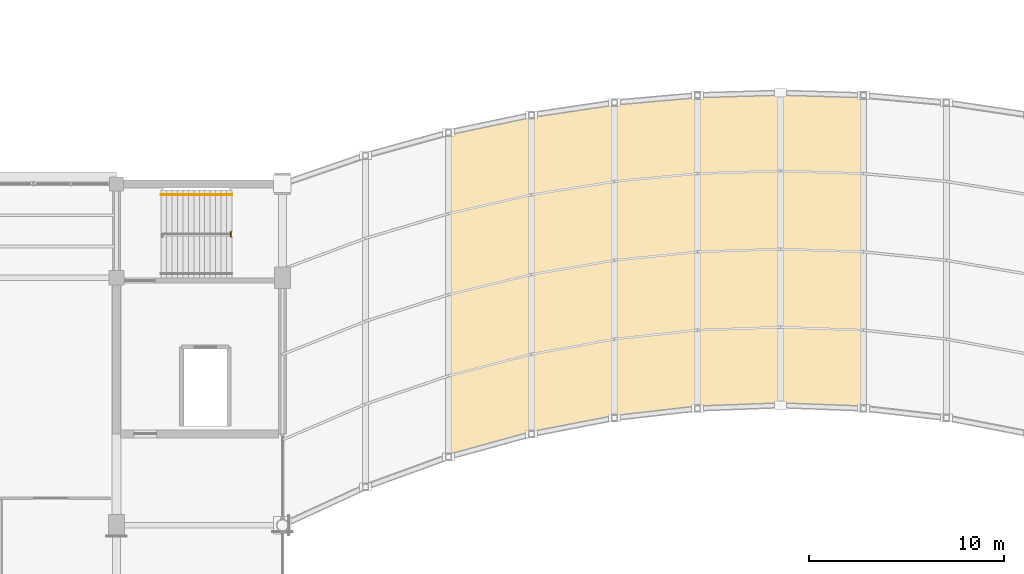
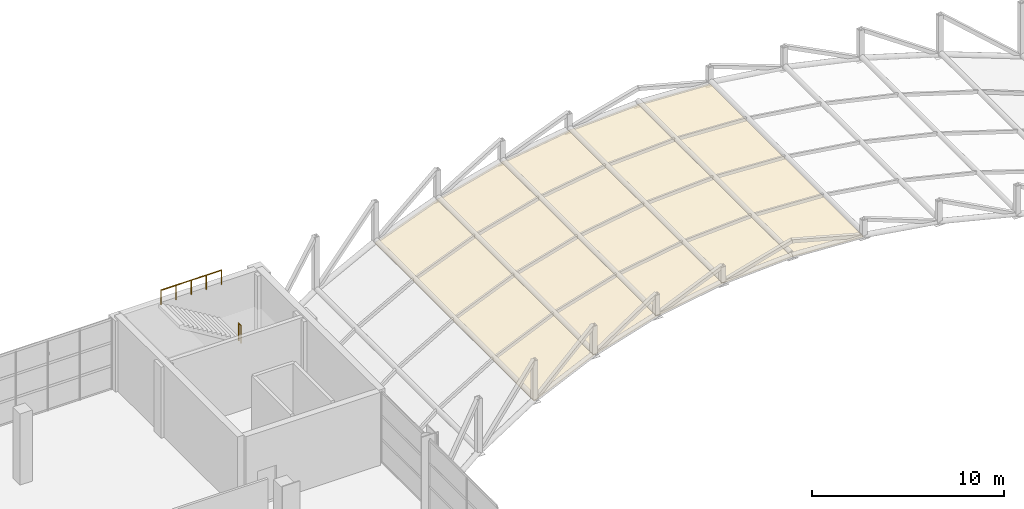
# One storey, part 95 of 101: 5 coverings, 2 railings.
"""IFC4 building model written with IfcOpenShell, lengths in metres."""

import ifcopenshell
import ifcopenshell.guid

model = None  # the IFC model being written
_history = None  # IfcOwnerHistory: only IFC2X3 demands one
_inside = {}  # id of a spatial element -> (the spatial element, [elements in it])
_under = {}  # id of a project, library or spatial element -> (it, [spatial elements below it])
_declared = {}  # id of a project -> (the project, [libraries it declares])
_typed = {}  # id of a type object -> (the type object, [elements of that type])
_made_of = {}  # id of a material, layer set ... -> (it, [elements and type objects made of it])


def new_model(schema):
    """Start an empty IFC model of exactly this schema.

    Asked for "IFC4X3", IfcOpenShell would pick the latest addendum, in which some entities
    have other attributes; the version numbers below select the first issue.
    IFC2X3 requires an IfcOwnerHistory on every rooted entity: one is made here for all.
    """
    global model, _history
    if schema == "IFC4X3":
        model = ifcopenshell.file(schema_version=(4, 3, 0, 0))
    else:
        model = ifcopenshell.file(schema=schema)
    _inside.clear()
    _under.clear()
    _declared.clear()
    _typed.clear()
    _made_of.clear()
    _history = None
    if model.schema == "IFC2X3":
        org = make("IfcOrganization", Name="unknown")
        user = make(
            "IfcPersonAndOrganization",
            ThePerson=make("IfcPerson", FamilyName="unknown"),
            TheOrganization=org,
        )
        app = make(
            "IfcApplication",
            ApplicationDeveloper=org,
            Version="unknown",
            ApplicationFullName="unknown",
            ApplicationIdentifier="unknown",
        )
        _history = make(
            "IfcOwnerHistory",
            OwningUser=user,
            OwningApplication=app,
            ChangeAction="ADDED",
            CreationDate=0,
        )
    return model


def make(cls, **values):
    """One entity of the class cls with the attributes given. An attribute that is None is left unset."""
    return model.create_entity(
        cls, **{name: value for name, value in values.items() if value is not None}
    )


def rooted(cls, **values):
    """An entity with a GlobalId (a new one), such as an element, a storey or a relation."""
    return make(cls, GlobalId=ifcopenshell.guid.new(), OwnerHistory=_history, **values)


def si_unit(unit_type, name, prefix=None):
    """IfcSIUnit, for example si_unit("LENGTHUNIT", "METRE", prefix="MILLI")."""
    return make("IfcSIUnit", UnitType=unit_type, Prefix=prefix, Name=name)


def assignment(units):
    """IfcUnitAssignment: the units of a project."""
    return None if units is None else make("IfcUnitAssignment", Units=units)


def point(xyz):
    """IfcCartesianPoint."""
    return None if xyz is None else make("IfcCartesianPoint", Coordinates=xyz)


def direction(xyz):
    """IfcDirection."""
    return None if xyz is None else make("IfcDirection", DirectionRatios=xyz)


def frame(location, z_axis=None, x_axis=None):
    """IfcAxis2Placement3D, a coordinate frame: its origin and axes. An axis left out is left unset."""
    return make(
        "IfcAxis2Placement3D",
        Location=point(location),
        Axis=direction(z_axis),
        RefDirection=direction(x_axis),
    )


def frame_2d(location, x_axis=None):
    """IfcAxis2Placement2D, a coordinate frame in the plane: its origin and x axis."""
    return make(
        "IfcAxis2Placement2D", Location=point(location), RefDirection=direction(x_axis)
    )


def origin():
    """The frame at (0, 0, 0) with its axes left unset."""
    return frame((0.0, 0.0, 0.0))


def origin_2d():
    """The frame at (0, 0) in the plane with its x axis left unset."""
    return frame_2d((0.0, 0.0))


def place(relative_to, where):
    """IfcLocalPlacement: puts the frame where relative to a parent placement (None: the world)."""
    return make(
        "IfcLocalPlacement", PlacementRelTo=relative_to, RelativePlacement=where
    )


def context(
    kind, dimensions, precision=None, world=None, true_north=None, identifier=None
):
    """IfcGeometricRepresentationContext, for example the 3D "Model" context."""
    return make(
        "IfcGeometricRepresentationContext",
        ContextIdentifier=identifier,
        ContextType=kind,
        CoordinateSpaceDimension=dimensions,
        Precision=precision,
        WorldCoordinateSystem=world,
        TrueNorth=true_north,
    )


def subcontext(parent, identifier, kind, view, scale=None):
    """IfcGeometricRepresentationSubContext, for example "Body" below "Model"."""
    return make(
        "IfcGeometricRepresentationSubContext",
        ContextIdentifier=identifier,
        ContextType=kind,
        ParentContext=parent,
        TargetScale=scale,
        TargetView=view,
    )


def project(units=None, contexts=None):
    """IfcProject with its units and contexts."""
    return rooted(
        "IfcProject",
        Name="project",
        RepresentationContexts=contexts,
        UnitsInContext=assignment(units),
    )


def spatial(cls, under=None, at=None, **own):
    """A site, building, storey or space (cls), placed at a placement, below another one or the project."""
    s = rooted(cls, ObjectPlacement=at, **own)
    if under is not None:
        _under.setdefault(under.id(), (under, []))[1].append(s)
    return s


def polyline(points):
    """IfcPolyline through the points."""
    return make("IfcPolyline", Points=[point(p) for p in points])


def profile(cls, at=None, kind="AREA", **sizes):
    """A parametric profile (cls). Its sizes go by their IFC names, for example OverallWidth=200.0."""
    return make(cls, ProfileType=kind, Position=at, **sizes)


def circle(**sizes):
    """IfcCircleProfileDef."""
    return profile("IfcCircleProfileDef", **sizes)


def outline(outer, holes=None, kind="AREA"):
    """IfcArbitraryClosedProfileDef: a profile drawn as a closed curve; with holes, ...WithVoids."""
    if holes is None:
        return make("IfcArbitraryClosedProfileDef", ProfileType=kind, OuterCurve=outer)
    return make(
        "IfcArbitraryProfileDefWithVoids",
        ProfileType=kind,
        OuterCurve=outer,
        InnerCurves=holes,
    )


def extrude(swept, where, along, depth):
    """IfcExtrudedAreaSolid: the profile swept, set in the frame where, extruded along a direction by depth."""
    return make(
        "IfcExtrudedAreaSolid",
        SweptArea=swept,
        Position=where,
        ExtrudedDirection=direction(along),
        Depth=depth,
    )


def shape(context_of_items, identifier, shape_type, items):
    """IfcShapeRepresentation: the items that make up one representation, for example the "Body"."""
    return make(
        "IfcShapeRepresentation",
        ContextOfItems=context_of_items,
        RepresentationIdentifier=identifier,
        RepresentationType=shape_type,
        Items=items,
    )


def material(Name=None, Category=None):
    """IfcMaterial."""
    return make("IfcMaterial", Name=Name, Category=Category)


def layer(
    of_material, thickness, ventilated=None, Name=None, Category=None, Priority=None
):
    """IfcMaterialLayer: one layer of a wall or slab, of a material (None: an air gap)."""
    return make(
        "IfcMaterialLayer",
        Material=of_material,
        LayerThickness=thickness,
        IsVentilated=ventilated,
        Name=Name,
        Category=Category,
        Priority=Priority,
    )


def layer_set(layers, Name=None):
    """IfcMaterialLayerSet."""
    return make("IfcMaterialLayerSet", MaterialLayers=layers, LayerSetName=Name)


def made_of(thing, what):
    """Note that an element or type object is made of a material, layer set ...; save() writes the relation."""
    if what is not None:
        _made_of.setdefault(what.id(), (what, []))[1].append(thing)
    return thing


def type_object(cls, material=None, **own):
    """A type object (cls), such as IfcWallType, which elements share."""
    return made_of(rooted(cls, **own), material)


def element(
    cls,
    number,
    at=None,
    inside=None,
    cuts=None,
    type_object=None,
    material=None,
    context=None,
    identifier="Body",
    shape_type=None,
    held_by="IfcProductDefinitionShape",
    body=None,
    shapes=None,
    **own,
):
    """One element of the class cls, such as IfcWall. Its Tag is "e" and its number.

    at: its placement. inside: the storey or other place that contains it. cuts: it is an
    opening in that element (IfcRelVoidsElement). A single representation is given by context,
    identifier, shape_type and body (its items); several are given by shapes. held_by: the class
    of the entity that holds the representations. save() writes the other relations.
    """
    e = rooted(cls, Tag="e%d" % number, ObjectPlacement=at, **own)
    if body is not None:
        shapes = [shape(context, identifier, shape_type, body)]
    if shapes is not None:
        e.Representation = make(held_by, Representations=shapes)
    if inside is not None:
        _inside.setdefault(inside.id(), (inside, []))[1].append(e)
    if cuts is not None:
        rooted(
            "IfcRelVoidsElement", RelatingBuildingElement=cuts, RelatedOpeningElement=e
        )
    if type_object is not None:
        _typed.setdefault(type_object.id(), (type_object, []))[1].append(e)
    return made_of(e, material)


def aggregate(whole, parts):
    """IfcRelAggregates: a whole, such as a stair, and the parts it consists of."""
    return rooted("IfcRelAggregates", RelatingObject=whole, RelatedObjects=parts)


def save(model, path):
    """Write the relations noted so far, then the file.

    IfcRelAggregates (storeys below a building ...), IfcRelContainedInSpatialStructure (elements
    in a storey), IfcRelDefinesByType, IfcRelAssociatesMaterial and IfcRelDeclares: one each for
    every whole, place, type object, material and project.
    """
    for whole, parts in _under.values():
        aggregate(whole, parts)
    for where, things in _inside.values():
        rooted(
            "IfcRelContainedInSpatialStructure",
            RelatedElements=things,
            RelatingStructure=where,
        )
    for kind, things in _typed.values():
        rooted("IfcRelDefinesByType", RelatedObjects=things, RelatingType=kind)
    for what, things in _made_of.values():
        rooted("IfcRelAssociatesMaterial", RelatedObjects=things, RelatingMaterial=what)
    for by, libraries in _declared.values():
        rooted("IfcRelDeclares", RelatingContext=by, RelatedDefinitions=libraries)
    model.write(path)


model = new_model("IFC4")

# Units and contexts
model_context = context("Model", 3, precision=1e-05, world=origin(), true_north=direction((0.0, 1.0)))
body_context = subcontext(model_context, "Body", "Model", "MODEL_VIEW")
ifc_project = project(units=[si_unit("LENGTHUNIT", "METRE"), si_unit("AREAUNIT", "SQUARE_METRE"), si_unit("VOLUMEUNIT", "CUBIC_METRE"), si_unit("PLANEANGLEUNIT", "RADIAN"), si_unit("MASSUNIT", "GRAM", prefix="KILO")], contexts=[model_context])

# Site, building, storey
site_placement = place(None, origin())
site = spatial("IfcSite", under=ifc_project, at=site_placement, CompositionType="ELEMENT")
building_placement = place(site_placement, origin())
building = spatial("IfcBuilding", under=site, at=building_placement, Name="Solvikara Media Centre", CompositionType="ELEMENT")
storey_placement = place(building_placement, frame((0.0, 0.0, 10.199951171875)))
storey = spatial("IfcBuildingStorey", under=building, at=storey_placement, Name="L02", CompositionType="ELEMENT", Elevation=10.199951171875)

# Coverings
ifc_material_1 = material(Name="Perforated acoustic gypsum ceiling board")
ifc_layer = layer(ifc_material_1, 0.0400390625)
ifc_layer_set = layer_set([ifc_layer], Name="Perforated acoustic gypsum ceiling board")
covering_type = type_object("IfcCoveringType", Name="CV-01", PredefinedType="CEILING", material=ifc_layer_set)
covering_1_placement = place(storey_placement, frame((85.0, 22.823974609375, 1.64794921875), z_axis=(-0.164821619236, 0.0, 0.986323392115), x_axis=(0.951739592353, 0.262482868962, 0.159042421539)))
element("IfcCovering", 1, at=covering_1_placement, inside=storey, type_object=covering_type, Name="SOF-ARC-02", PredefinedType="CEILING", context=body_context, shape_type="SweptSolid", body=[
    extrude(outline(polyline([(0.0, 0.0), (4.465507197711592, 6.938893903907228e-17), (8.752641947112428, 15.760317885235247), (4.359035574345945, 16.024638911651298), (0.0, 0.0)])), origin(), (0.0, 0.0, -1.0), 0.0400390625),
])
covering_2_placement = place(storey_placement, frame((89.25, 23.99609375, 2.358154296875), z_axis=(-0.118191463058, 0.0, 0.992990824761), x_axis=(0.97516795398, 0.188613884481, 0.116070082758)))
element("IfcCovering", 2, at=covering_2_placement, inside=storey, type_object=covering_type, Name="SOF-ARC-03", PredefinedType="CEILING", context=body_context, shape_type="SweptSolid", body=[
    extrude(outline(polyline([(0.0, 0.0), (4.358223609229966, 1.0928757898653885e-16), (7.403582651292142, 15.856196837965918), (3.0806320487791385, 16.039851943930806), (0.0, 0.0)])), origin(), (0.0, 0.0, -1.0), 0.0400390625),
])
covering_3_placement = place(storey_placement, frame((93.5, 24.818115234375, 2.864013671875), z_axis=(-0.071564655198, 0.0, 0.99743596292), x_axis=(0.990989060478, 0.113512878366, 0.071102098836)))
element("IfcCovering", 3, at=covering_3_placement, inside=storey, type_object=covering_type, Name="SOF-ARC-04", PredefinedType="CEILING", context=body_context, shape_type="SweptSolid", body=[
    extrude(outline(polyline([(0.0, 0.0), (4.288644718188768, -3.426078865054194e-17), (6.108952311592298, 15.932483668453473), (1.8327784906849314, 16.041636851128157), (0.0, 0.0)])), origin(), (0.0, 0.0, -1.0), 0.0400390625),
])
covering_4_placement = place(storey_placement, frame((97.75, 25.304931640625, 3.1689453125), z_axis=(-0.023775446472, 0.0, 0.99971732412), x_axis=(0.998991273756, 0.038104906122, 0.02375817942)))
element("IfcCovering", 4, at=covering_4_placement, inside=storey, type_object=covering_type, Name="SOF-ARC-05", PredefinedType="CEILING", context=body_context, shape_type="SweptSolid", body=[
    extrude(outline(polyline([(0.0, 0.0), (4.2542914154014895, 1.395910297075087e-17), (4.863969913355354, 15.98837990945714), (0.6110553353821049, 16.02448648029759), (0.0, 0.0)])), origin(), (0.0, 0.0, -1.0), 0.0400390625),
])
covering_5_placement = place(storey_placement, frame((102.0, 25.467041015625, 3.27001953125), z_axis=(0.023775446472, 0.0, 0.99971732412), x_axis=(0.998991273756, -0.038104906122, -0.02375817942)))
element("IfcCovering", 5, at=covering_5_placement, inside=storey, type_object=covering_type, Name="SOF-ARC-06", PredefinedType="CEILING", context=body_context, shape_type="SweptSolid", body=[
    extrude(outline(polyline([(0.0, 0.0), (4.2542914154014895, -1.395910297075087e-17), (3.643236080019385, 16.024486480297593), (-0.6096784979538643, 15.98837990945714), (0.0, 0.0)])), origin(), (0.0, 0.0, -1.0), 0.0400390625),
])

# Railings
ifc_material_2 = material(Name="Steel S355JR", Category="steel")
railing_type_1 = type_object("IfcRailingType", Name="GR-02", PredefinedType="BALUSTRADE", material=ifc_material_2)
railing_1_placement = place(storey_placement, frame((73.860107421875, 34.10009765625, 2.400146484375)))
element("IfcRailing", 6, at=railing_1_placement, inside=storey, type_object=railing_type_1, Name="GR-C3-L02-M", PredefinedType="BALUSTRADE", context=body_context, shape_type="SweptSolid", body=[
    extrude(circle(Radius=0.02392578125, at=origin_2d()), frame((0.0, 0.0, 1.09619140625), z_axis=(0.0, 1.0, 0.0), x_axis=(-1.0, 0.0, 0.0)), (0.0, 0.0, 1.0), 0.25),
    extrude(circle(Radius=0.02099609375, at=origin_2d()), origin(), (0.0, 0.0, 1.0), 1.072021484375),
    extrude(circle(Radius=0.02099609375, at=origin_2d()), frame((0.0, 0.25, 0.0)), (0.0, 0.0, 1.0), 1.072021484375),
])
railing_type_2 = type_object("IfcRailingType", Name="HR-01", PredefinedType="HANDRAIL", material=ifc_material_2)
railing_2_placement = place(storey_placement, frame((73.919921875, 36.25, 4.800048828125)))
element("IfcRailing", 7, at=railing_2_placement, inside=storey, type_object=railing_type_2, Name="HR-C3-L02-2", PredefinedType="HANDRAIL", context=body_context, shape_type="SweptSolid", body=[
    extrude(circle(Radius=0.02392578125, at=origin_2d()), frame((0.0, 0.0, 0.89599609375), z_axis=(-1.0, 0.0, 0.0), x_axis=(0.0, -1.0, 0.0)), (0.0, 0.0, 1.0), 3.639892578125),
    extrude(circle(Radius=0.02099609375, at=origin_2d()), origin(), (0.0, 0.0, 1.0), 0.871826171875),
    extrude(circle(Radius=0.02099609375, at=origin_2d()), frame((-0.909912109375, 0.0, 0.0)), (0.0, 0.0, 1.0), 0.871826171875),
    extrude(circle(Radius=0.02099609375, at=origin_2d()), frame((-1.81982421875, 0.0, 0.0)), (0.0, 0.0, 1.0), 0.871826171875),
    extrude(circle(Radius=0.02099609375, at=origin_2d()), frame((-2.72998046875, 0.0, 0.0)), (0.0, 0.0, 1.0), 0.871826171875),
    extrude(circle(Radius=0.02099609375, at=origin_2d()), frame((-3.639892578125, 0.0, 0.0)), (0.0, 0.0, 1.0), 0.871826171875),
])

save(model, "model.ifc")
